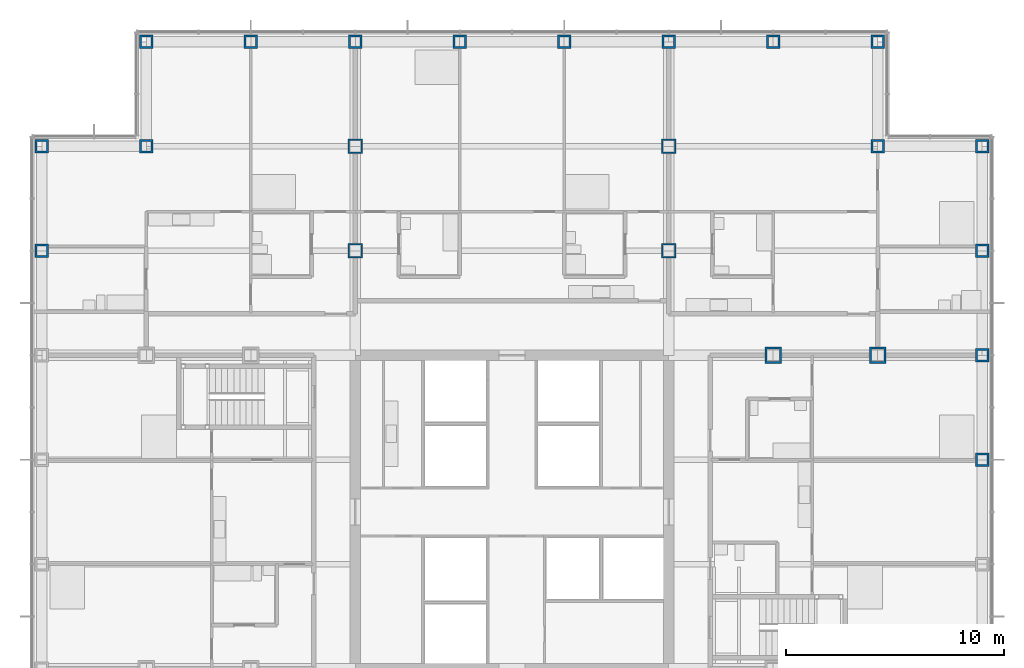
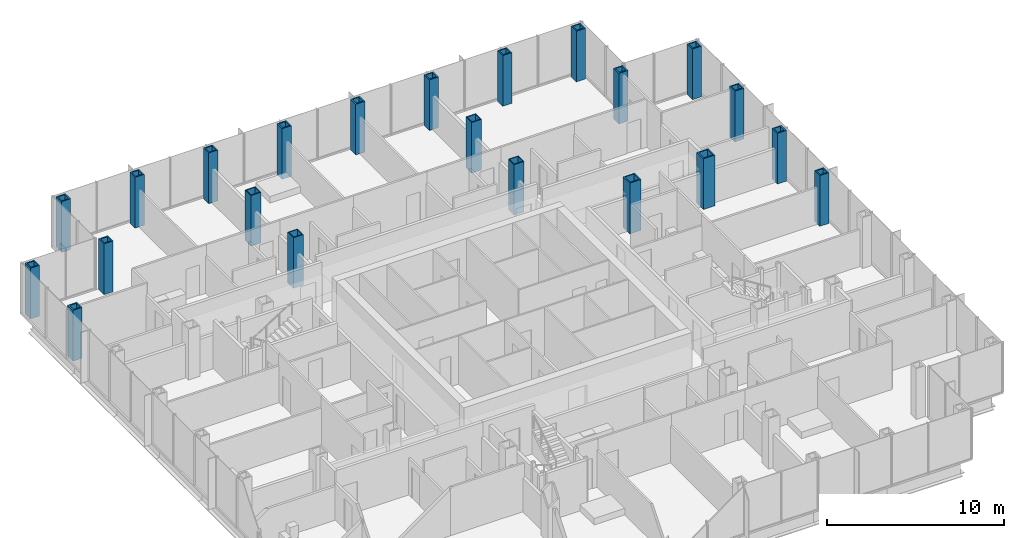
# One storey, part 5 of 21: 22 columns.
"""IFC4 building model written with IfcOpenShell, lengths in metres."""

from ifc_helpers import new_model, si_unit, direction, frame, origin, origin_2d, place, context, subcontext, project, spatial, hollow_rectangle, extrude, material, material_profile, profile_set, type_object, element, save


model = new_model("IFC4")

# Units and contexts
model_context = context("Model", 3, precision=1e-05, world=origin(), true_north=direction((0.0, 1.0)))
body_context = subcontext(model_context, "Body", "Model", "MODEL_VIEW")
ifc_project = project(units=[si_unit("LENGTHUNIT", "METRE"), si_unit("AREAUNIT", "SQUARE_METRE"), si_unit("VOLUMEUNIT", "CUBIC_METRE"), si_unit("PLANEANGLEUNIT", "RADIAN"), si_unit("MASSUNIT", "GRAM", prefix="KILO")], contexts=[model_context])

# Site, building, storey
site_placement = place(None, origin())
site = spatial("IfcSite", under=ifc_project, at=site_placement, CompositionType="ELEMENT")
building_placement = place(site_placement, origin())
building = spatial("IfcBuilding", under=site, at=building_placement, Name="Kvirike Care Tower", CompositionType="ELEMENT")
storey_placement = place(building_placement, frame((0.0, 0.0, 65.5)))
storey = spatial("IfcBuildingStorey", under=building, at=storey_placement, Name="L17", CompositionType="ELEMENT", Elevation=65.5)

# Columns
ifc_material_1 = material(Name="Steel S460", Category="steel")
ifc_material_profile_1 = material_profile(ifc_material_1, hollow_rectangle(XDim=0.60009765625, YDim=0.60009765625, WallThickness=0.080078125, at=origin_2d()), Name="BX 600x600x80")
ifc_profile_set_1 = profile_set([ifc_material_profile_1], Name="Steel S460")
column_type_1 = type_object("IfcColumnType", Name="COLUMN BX 600x600x80", PredefinedType="COLUMN", material=ifc_profile_set_1)
for number, where, z_axis, x_axis, name in (
    (1, (0.0, 48.0, 0.0), (0.0, 0.0, 1.0), (1.0, 0.0, 0.0), "Column L3 L17"),
    (2, (0.0, 52.800048828125, 0.0), (0.0, 0.0, 1.0), (0.0, 1.0, 0.0), "Column M3 L17"),
    (3, (4.800048828125, 52.800048828125, 0.0), (0.0, 0.0, 1.0), (0.0, 1.0, 0.0), "Column M4 L17"),
    (4, (4.800048828125, 57.60009765625, 0.0), (0.0, 0.0, 1.0), (0.0, 1.0, 0.0), "Column N4 L17"),
    (5, (9.60009765625, 57.60009765625, 0.0), (0.0, 0.0, 1.0), (0.0, 1.0, 0.0), "Column N5 L17"),
    (6, (14.39990234375, 57.60009765625, 0.0), (0.0, 0.0, 1.0), (0.0, 1.0, 0.0), "Column N6 L17"),
    (7, (19.199951171875, 57.60009765625, 0.0), (0.0, 0.0, 1.0), (0.0, 1.0, 0.0), "Column N7 L17"),
    (8, (24.0, 57.60009765625, 0.0), (0.0, 0.0, 1.0), (0.0, 1.0, 0.0), "Column N8 L17"),
    (9, (28.800048828125, 57.60009765625, 0.0), (0.0, 0.0, 1.0), (0.0, 1.0, 0.0), "Column N9 L17"),
    (10, (33.60009765625, 57.60009765625, 0.0), (0.0, 0.0, 1.0), (0.0, 1.0, 0.0), "Column N10 L17"),
    (11, (38.39990234375, 52.800048828125, 0.0), (0.0, 0.0, 1.0), (0.0, 1.0, 0.0), "Column M11 L17"),
    (12, (38.39990234375, 57.60009765625, 0.0), (0.0, 0.0, 1.0), (0.0, 1.0, 0.0), "Column N11 L17"),
    (13, (43.199951171875, 38.39990234375, 0.0), (0.0, 0.0, 1.0), (1.0, 0.0, 0.0), "Column J12 L17"),
    (14, (43.199951171875, 43.199951171875, 0.0), (0.0, 0.0, 1.0), (0.0, 1.0, 0.0), "Column K12 L17"),
    (15, (43.199951171875, 48.0, 0.0), (0.0, 0.0, 1.0), (1.0, 0.0, 0.0), "Column L12 L17"),
    (16, (43.199951171875, 52.800048828125, 0.0), (0.0, 0.0, 1.0), (0.0, 1.0, 0.0), "Column M12 L17"),
):
    element("IfcColumn", number, at=place(storey_placement, frame(where, z_axis=z_axis, x_axis=x_axis)), inside=storey, type_object=column_type_1, Name=name, PredefinedType="COLUMN", context=body_context, shape_type="SweptSolid", body=[
        extrude(hollow_rectangle(XDim=0.60009765625, YDim=0.60009765625, WallThickness=0.080078125, at=origin_2d()), origin(), (0.0, 0.0, 1.0), 3.5),
    ])
ifc_material_2 = material(Name="Steel S460", Category="steel")
ifc_material_profile_2 = material_profile(ifc_material_2, hollow_rectangle(XDim=0.64990234375, YDim=0.64990234375, WallThickness=0.050048828125, at=origin_2d()), Name="BX 650x650x50")
ifc_profile_set_2 = profile_set([ifc_material_profile_2], Name="Steel S460")
column_type_2 = type_object("IfcColumnType", Name="COLUMN BX 650x650x50", PredefinedType="COLUMN", material=ifc_profile_set_2)
for number, where, z_axis, x_axis, name in (
    (17, (14.39990234375, 48.0, 0.0), (0.0, 0.0, 1.0), (1.0, 0.0, 0.0), "Column L6 L17"),
    (18, (14.39990234375, 52.800048828125, 0.0), (0.0, 0.0, 1.0), (1.0, 0.0, 0.0), "Column M6 L17"),
    (19, (28.800048828125, 48.0, 0.0), (0.0, 0.0, 1.0), (1.0, 0.0, 0.0), "Column L9 L17"),
    (20, (28.800048828125, 52.800048828125, 0.0), (0.0, 0.0, 1.0), (1.0, 0.0, 0.0), "Column M9 L17"),
):
    element("IfcColumn", number, at=place(storey_placement, frame(where, z_axis=z_axis, x_axis=x_axis)), inside=storey, type_object=column_type_2, Name=name, PredefinedType="COLUMN", context=body_context, shape_type="SweptSolid", body=[
        extrude(hollow_rectangle(XDim=0.64990234375, YDim=0.64990234375, WallThickness=0.050048828125, at=origin_2d()), origin(), (0.0, 0.0, 1.0), 3.5),
    ])
ifc_material_3 = material(Name="Steel S460", Category="steel")
ifc_material_profile_3 = material_profile(ifc_material_3, hollow_rectangle(XDim=0.75, YDim=0.75, WallThickness=0.080078125, at=origin_2d()), Name="BX 750x750x80")
ifc_profile_set_3 = profile_set([ifc_material_profile_3], Name="Steel S460")
column_type_3 = type_object("IfcColumnType", Name="COLUMN BX 750x750x80", PredefinedType="COLUMN", material=ifc_profile_set_3)
for number, where, z_axis, x_axis, name in (
    (21, (33.60009765625, 43.199951171875, 0.0), (0.0, 0.0, 1.0), (0.0, 1.0, 0.0), "Column K10 L17"),
    (22, (38.39990234375, 43.199951171875, 0.0), (0.0, 0.0, 1.0), (0.0, 1.0, 0.0), "Column K11 L17"),
):
    element("IfcColumn", number, at=place(storey_placement, frame(where, z_axis=z_axis, x_axis=x_axis)), inside=storey, type_object=column_type_3, Name=name, PredefinedType="COLUMN", context=body_context, shape_type="SweptSolid", body=[
        extrude(hollow_rectangle(XDim=0.75, YDim=0.75, WallThickness=0.080078125, at=origin_2d()), origin(), (0.0, 0.0, 1.0), 3.5),
    ])

save(model, "model.ifc")
